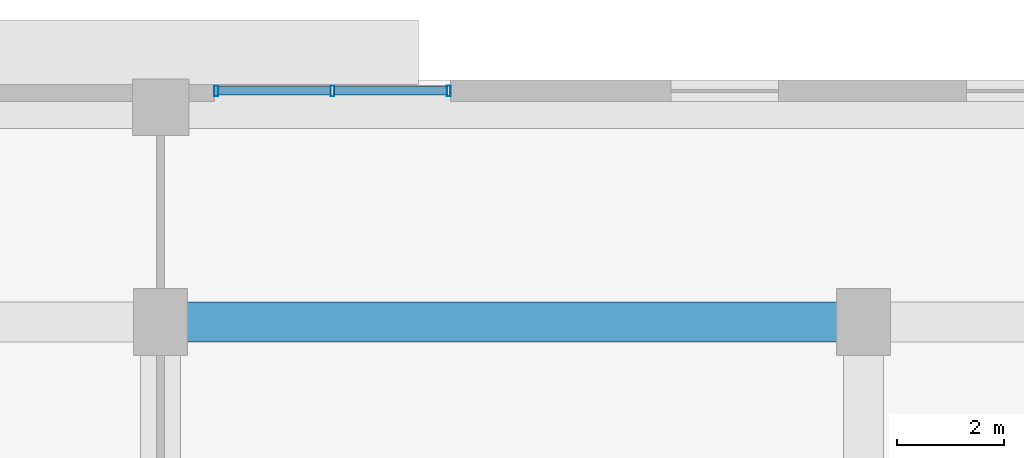
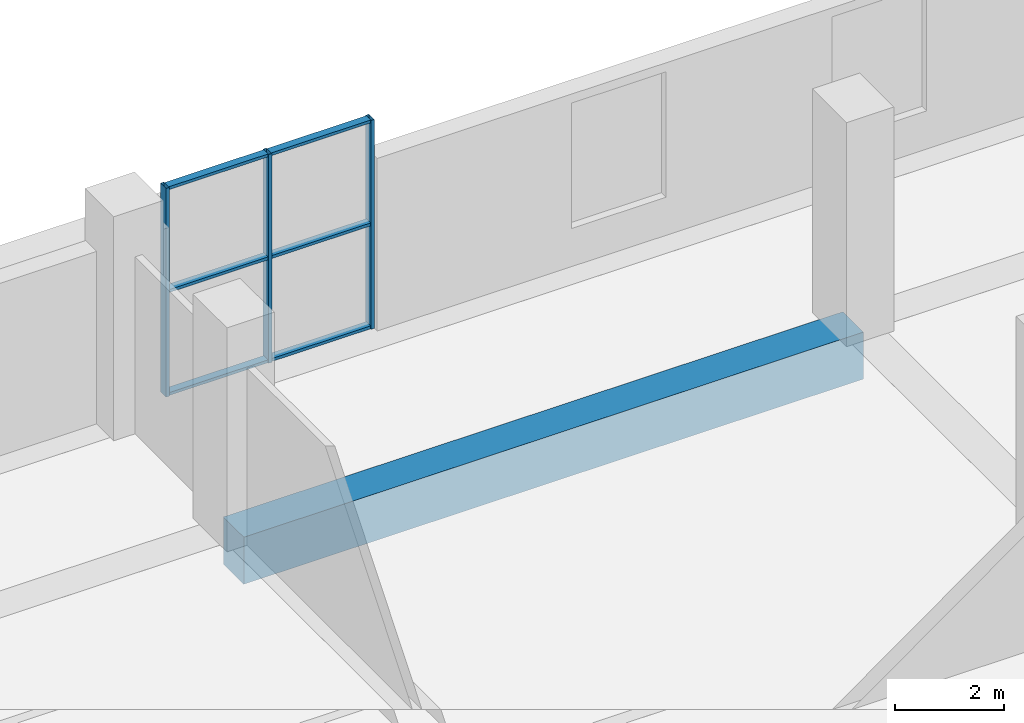
# One storey, part 4 of 17: 9 members, 1 beam, 1 element without a shape of its own.
"""IFC4 building model written with IfcOpenShell, lengths in metres."""

from ifc_helpers import new_model, si_unit, direction, frame, origin, origin_2d, place, context, subcontext, project, spatial, rectangle, hollow_rectangle, extrude, source, transform, mapped, material, layer, layer_set, material_profile, profile_set, type_object, element, aggregate, save


model = new_model("IFC4")

# Units and contexts
model_context = context("Model", 3, precision=1e-05, world=origin(), true_north=direction((0.0, 1.0)))
body_context = subcontext(model_context, "Body", "Model", "MODEL_VIEW")
ifc_project = project(units=[si_unit("LENGTHUNIT", "METRE"), si_unit("AREAUNIT", "SQUARE_METRE"), si_unit("VOLUMEUNIT", "CUBIC_METRE"), si_unit("PLANEANGLEUNIT", "RADIAN"), si_unit("MASSUNIT", "GRAM", prefix="KILO"), si_unit("THERMODYNAMICTEMPERATUREUNIT", "KELVIN")], contexts=[model_context])

# Site, building, storey
site_placement = place(None, origin())
site = spatial("IfcSite", under=ifc_project, at=site_placement, CompositionType="ELEMENT")
building_placement = place(site_placement, origin())
building = spatial("IfcBuilding", under=site, at=building_placement, Name="Kosmvard Interchange Tower", CompositionType="ELEMENT")
storey_placement = place(building_placement, frame((0.0, 0.0, 6.0)))
storey = spatial("IfcBuildingStorey", under=building, at=storey_placement, Name="L01", CompositionType="ELEMENT", Elevation=6.0)

# Beam
ifc_material_1 = material(Name="Concrete C60/75", Category="concrete")
ifc_material_profile_1 = material_profile(ifc_material_1, rectangle(XDim=0.75, YDim=1.050048828125, at=origin_2d()), Name="RCG 750x1050")
ifc_profile_set_1 = profile_set([ifc_material_profile_1], Name="Concrete C60/75")
beam_type = type_object("IfcBeamType", Name="Concourse Mid-Span RC Girder 750x1050 C60/75", PredefinedType="BEAM", material=ifc_profile_set_1)
shared_shape_1 = source(origin(), body_context, "Body", "SweptSolid", [
    extrude(rectangle(XDim=0.75, YDim=1.050048828125, at=origin_2d()), origin(), (0.0, 0.0, 1.0), 13.0810546875),
])
beam_placement = place(storey_placement, frame((0.0, 21.5, -0.52490234375), z_axis=(1.0, 0.0, 0.0), x_axis=(0.0, 1.0, 0.0)))
element("IfcBeam", 1, at=beam_placement, inside=storey, type_object=beam_type, Name="BM-L01-PG-N3", PredefinedType="BEAM", context=body_context, shape_type="MappedRepresentation", body=[
    mapped(shared_shape_1, transform((0.0, 0.0, 0.0), scale=1.0)),
])

# Curtain wall, members
ifc_material_2 = material(Name="Architectural anodised aluminium", Category="aluminium")
ifc_layer = layer(ifc_material_2, 0.199951171875, Name="Architectural anodised aluminium")
ifc_layer_set = layer_set([ifc_layer], Name="Architectural anodised aluminium")
curtain_wall_type = type_object("IfcCurtainWallType", Name="CW-2 Cascade Terrace Hall Curtain Wall", PredefinedType="NOTDEFINED", material=ifc_layer_set)
curtain_wall_placement = place(storey_placement, origin())
curtain_wall = element("IfcCurtainWall", 2, at=curtain_wall_placement, inside=storey, type_object=curtain_wall_type, Name="L01 North Terrace Hall Curtain Wall", PredefinedType="NOTDEFINED")
ifc_material_profile_2 = material_profile(ifc_material_2, hollow_rectangle(XDim=0.199951171875, YDim=0.070068359375, WallThickness=0.0048828125, at=origin_2d()), Name="CWM 200x70x5")
ifc_profile_set_2 = profile_set([ifc_material_profile_2], Name="Architectural anodised aluminium")
member_type_1 = type_object("IfcMemberType", Name="Terrace CW Mullion 200x70 Aluminium", PredefinedType="MULLION", material=ifc_profile_set_2)
shared_shape_2 = source(origin(), body_context, "Body", "SweptSolid", [
    extrude(hollow_rectangle(XDim=0.199951171875, YDim=0.070068359375, WallThickness=0.0048828125, at=origin_2d()), origin(), (0.0, 0.0, 1.0), 4.659912109375),
])
member_1_placement = place(storey_placement, frame((1.034912109375, 25.800048828125, 0.0), z_axis=(0.0, 0.0, 1.0), x_axis=(0.0, 1.0, 0.0)))
member_1 = element("IfcMember", 3, at=member_1_placement, type_object=member_type_1, Name="CW-2 mullion 1", PredefinedType="MULLION", context=body_context, shape_type="MappedRepresentation", body=[
    mapped(shared_shape_2, transform((0.0, 0.0, 0.0), scale=1.0)),
])
member_2_placement = place(storey_placement, frame((3.199951171875, 25.800048828125, 0.0), z_axis=(0.0, 0.0, 1.0), x_axis=(0.0, 1.0, 0.0)))
member_2 = element("IfcMember", 4, at=member_2_placement, type_object=member_type_1, Name="CW-2 mullion 2", PredefinedType="MULLION", context=body_context, shape_type="MappedRepresentation", body=[
    mapped(shared_shape_2, transform((0.0, 0.0, 0.0), scale=1.0)),
])
member_3_placement = place(storey_placement, frame((5.364990234375, 25.800048828125, 0.0), z_axis=(0.0, 0.0, 1.0), x_axis=(0.0, 1.0, 0.0)))
member_3 = element("IfcMember", 5, at=member_3_placement, type_object=member_type_1, Name="CW-2 mullion 3", PredefinedType="MULLION", context=body_context, shape_type="MappedRepresentation", body=[
    mapped(shared_shape_2, transform((0.0, 0.0, 0.0), scale=1.0)),
])
ifc_material_profile_3 = material_profile(ifc_material_2, hollow_rectangle(XDim=0.159912109375, YDim=0.06494140625, WallThickness=0.00390625, at=origin_2d()), Name="CWT 160x65x4")
ifc_profile_set_3 = profile_set([ifc_material_profile_3], Name="Architectural anodised aluminium")
member_type_2 = type_object("IfcMemberType", Name="Standard CW Transom 160x65 Aluminium", PredefinedType="USERDEFINED", material=ifc_profile_set_3)
shared_shape_3 = source(origin(), body_context, "Body", "SweptSolid", [
    extrude(hollow_rectangle(XDim=0.159912109375, YDim=0.06494140625, WallThickness=0.00390625, at=origin_2d()), origin(), (0.0, 0.0, 1.0), 2.094970703125),
])
member_4_placement = place(storey_placement, frame((1.070068359375, 25.800048828125, 0.032470703125), z_axis=(1.0, 0.0, 0.0), x_axis=(0.0, 1.0, 0.0)))
member_4 = element("IfcMember", 6, at=member_4_placement, type_object=member_type_2, Name="CW-2 transom 1.1", ObjectType="TRANSOM", PredefinedType="USERDEFINED", context=body_context, shape_type="MappedRepresentation", body=[
    mapped(shared_shape_3, transform((0.0, 0.0, 0.0), scale=1.0)),
])
member_5_placement = place(storey_placement, frame((1.070068359375, 25.800048828125, 2.330078125), z_axis=(1.0, 0.0, 0.0), x_axis=(0.0, 1.0, 0.0)))
member_5 = element("IfcMember", 7, at=member_5_placement, type_object=member_type_2, Name="CW-2 transom 1.2", ObjectType="TRANSOM", PredefinedType="USERDEFINED", context=body_context, shape_type="MappedRepresentation", body=[
    mapped(shared_shape_3, transform((0.0, 0.0, 0.0), scale=1.0)),
])
member_6_placement = place(storey_placement, frame((1.070068359375, 25.800048828125, 4.62744140625), z_axis=(1.0, 0.0, 0.0), x_axis=(0.0, 1.0, 0.0)))
member_6 = element("IfcMember", 8, at=member_6_placement, type_object=member_type_2, Name="CW-2 transom 1.3", ObjectType="TRANSOM", PredefinedType="USERDEFINED", context=body_context, shape_type="MappedRepresentation", body=[
    mapped(shared_shape_3, transform((0.0, 0.0, 0.0), scale=1.0)),
])
member_7_placement = place(storey_placement, frame((3.235107421875, 25.800048828125, 0.032470703125), z_axis=(1.0, 0.0, 0.0), x_axis=(0.0, 1.0, 0.0)))
member_7 = element("IfcMember", 9, at=member_7_placement, type_object=member_type_2, Name="CW-2 transom 2.1", ObjectType="TRANSOM", PredefinedType="USERDEFINED", context=body_context, shape_type="MappedRepresentation", body=[
    mapped(shared_shape_3, transform((0.0, 0.0, 0.0), scale=1.0)),
])
member_8_placement = place(storey_placement, frame((3.235107421875, 25.800048828125, 2.330078125), z_axis=(1.0, 0.0, 0.0), x_axis=(0.0, 1.0, 0.0)))
member_8 = element("IfcMember", 10, at=member_8_placement, type_object=member_type_2, Name="CW-2 transom 2.2", ObjectType="TRANSOM", PredefinedType="USERDEFINED", context=body_context, shape_type="MappedRepresentation", body=[
    mapped(shared_shape_3, transform((0.0, 0.0, 0.0), scale=1.0)),
])
member_9_placement = place(storey_placement, frame((3.235107421875, 25.800048828125, 4.62744140625), z_axis=(1.0, 0.0, 0.0), x_axis=(0.0, 1.0, 0.0)))
member_9 = element("IfcMember", 11, at=member_9_placement, type_object=member_type_2, Name="CW-2 transom 2.3", ObjectType="TRANSOM", PredefinedType="USERDEFINED", context=body_context, shape_type="MappedRepresentation", body=[
    mapped(shared_shape_3, transform((0.0, 0.0, 0.0), scale=1.0)),
])
aggregate(curtain_wall, [member_1, member_2, member_3, member_4, member_5, member_6, member_7, member_8, member_9])

save(model, "model.ifc")
